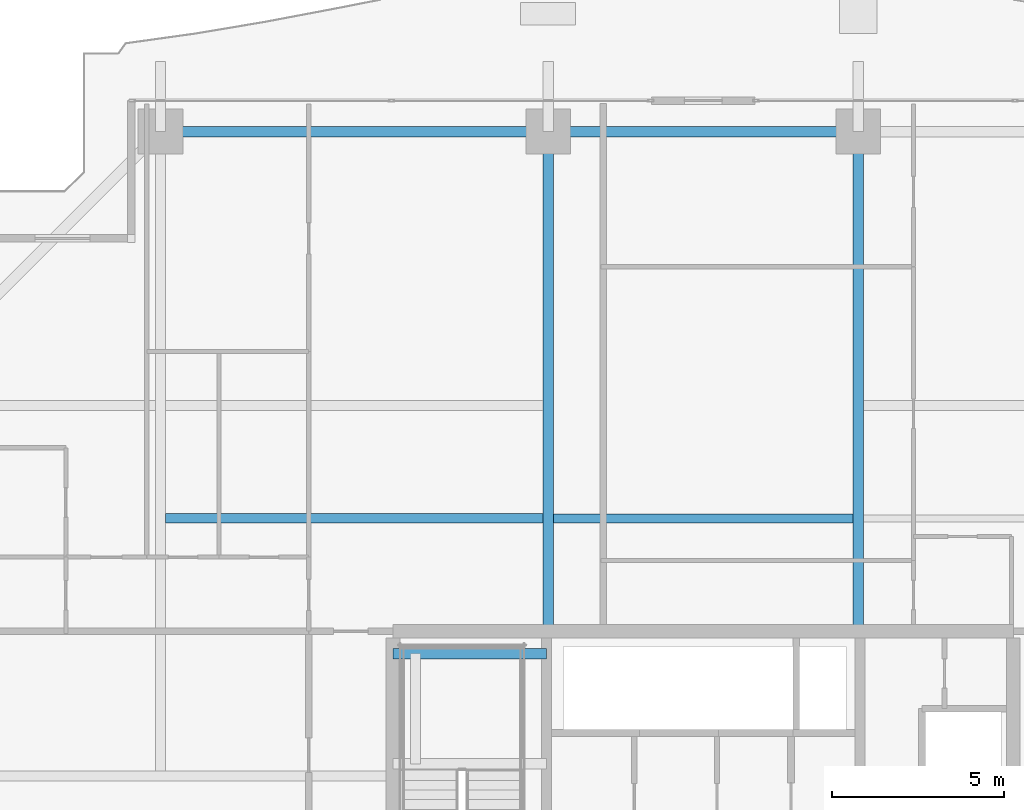
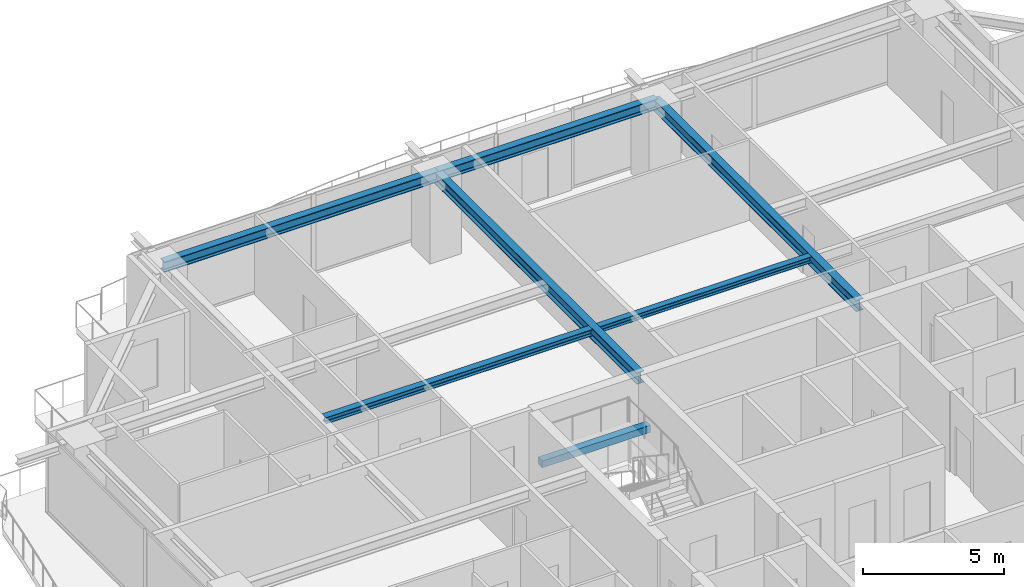
# One storey, part 20 of 37: 7 beams.
"""IFC4 building model written with IfcOpenShell, lengths in metres."""

from ifc_helpers import new_model, si_unit, direction, frame, origin, origin_2d, place, context, subcontext, project, spatial, rectangle, i_section, extrude, source, transform, mapped, material, material_profile, profile_set, type_object, element, save


model = new_model("IFC4")

# Units and contexts
model_context = context("Model", 3, precision=1e-05, world=origin(), true_north=direction((0.0, 1.0)))
body_context = subcontext(model_context, "Body", "Model", "MODEL_VIEW")
ifc_project = project(units=[si_unit("LENGTHUNIT", "METRE"), si_unit("AREAUNIT", "SQUARE_METRE"), si_unit("VOLUMEUNIT", "CUBIC_METRE"), si_unit("PLANEANGLEUNIT", "RADIAN"), si_unit("MASSUNIT", "GRAM", prefix="KILO")], contexts=[model_context])

# Site, building, storey
site_placement = place(None, origin())
site = spatial("IfcSite", under=ifc_project, at=site_placement, CompositionType="ELEMENT")
building_placement = place(site_placement, origin())
building = spatial("IfcBuilding", under=site, at=building_placement, Name="Serunith Strait Residences", CompositionType="ELEMENT")
storey_placement = place(building_placement, frame((0.0, 0.0, 138.89990234375)))
storey = spatial("IfcBuildingStorey", under=building, at=storey_placement, Name="L34", CompositionType="ELEMENT", Elevation=138.89990234375)

# Beams
ifc_material_1 = material(Name="Steel S355J2", Category="steel")
ifc_material_profile_1 = material_profile(ifc_material_1, i_section(OverallWidth=0.260009765625, OverallDepth=0.260009765625, WebThickness=0.010009765625, FlangeThickness=0.017578125, FilletRadius=0.02392578125, at=origin_2d()), Name="HEB 260")
ifc_profile_set_1 = profile_set([ifc_material_profile_1], Name="Steel S355J2")
beam_type_1 = type_object("IfcBeamType", Name="BM-HEB260", PredefinedType="JOIST", material=ifc_profile_set_1)
shared_shape_1 = source(origin(), body_context, "Body", "SweptSolid", [
    extrude(i_section(OverallWidth=0.260009765625, OverallDepth=0.260009765625, WebThickness=0.010009765625, FlangeThickness=0.017578125, FilletRadius=0.02392578125, at=origin_2d()), origin(), (0.0, 0.0, 1.0), 8.699951171875),
])
beam_1_placement = place(storey_placement, frame((28.050048828125, 36.875, 3.357177734375), z_axis=(1.0, 0.0, 0.0), x_axis=(0.0, 1.0, 0.0)))
element("IfcBeam", 1, at=beam_1_placement, inside=storey, type_object=beam_type_1, Name="L34 Composite Floor Joist 05", PredefinedType="JOIST", context=body_context, shape_type="MappedRepresentation", body=[
    mapped(shared_shape_1, transform((0.0, 0.0, 0.0), scale=1.0)),
])
ifc_material_profile_2 = material_profile(ifc_material_1, i_section(OverallWidth=0.300048828125, OverallDepth=0.449951171875, WebThickness=0.013916015625, FlangeThickness=0.02587890625, FilletRadius=0.027099609375, at=origin_2d()), Name="HEB 450")
ifc_profile_set_2 = profile_set([ifc_material_profile_2], Name="Steel S355J2")
beam_type_2 = type_object("IfcBeamType", Name="BM-HEB450", PredefinedType="BEAM", material=ifc_profile_set_2)
shared_shape_2 = source(origin(), body_context, "Body", "SweptSolid", [
    extrude(i_section(OverallWidth=0.300048828125, OverallDepth=0.449951171875, WebThickness=0.013916015625, FlangeThickness=0.02587890625, FilletRadius=0.027099609375, at=origin_2d()), origin(), (0.0, 0.0, 1.0), 9.0),
])
beam_2_placement = place(storey_placement, frame((36.89990234375, 48.10009765625, 3.26220703125), z_axis=(-1.0, 0.0, 0.0), x_axis=(0.0, -1.0, 0.0)))
element("IfcBeam", 2, at=beam_2_placement, inside=storey, type_object=beam_type_2, Name="L34 Perimeter Ring Beam 10", PredefinedType="BEAM", context=body_context, shape_type="MappedRepresentation", body=[
    mapped(shared_shape_2, transform((0.0, 0.0, 0.0), scale=1.0)),
])
ifc_material_profile_3 = material_profile(ifc_material_1, i_section(OverallWidth=0.300048828125, OverallDepth=0.5, WebThickness=0.014404296875, FlangeThickness=0.028076171875, FilletRadius=0.027099609375, at=origin_2d()), Name="HEB 500")
ifc_profile_set_3 = profile_set([ifc_material_profile_3], Name="Steel S355J2")
beam_type_3 = type_object("IfcBeamType", Name="BM-HEB500", PredefinedType="BEAM", material=ifc_profile_set_3)
shared_shape_3 = source(origin(), body_context, "Body", "SweptSolid", [
    extrude(i_section(OverallWidth=0.300048828125, OverallDepth=0.5, WebThickness=0.014404296875, FlangeThickness=0.028076171875, FilletRadius=0.027099609375, at=origin_2d()), origin(), (0.0, 0.0, 1.0), 14.5),
])
for number, where, z_axis, x_axis, name in (
    (3, (27.89990234375, 33.60009765625, 3.237060546875), (0.0, 1.0, 0.0), (-1.0, 0.0, 0.0), "L34 Primary Floor Girder TC-N2"),
    (4, (36.89990234375, 33.60009765625, 3.237060546875), (0.0, 1.0, 0.0), (-1.0, 0.0, 0.0), "L34 Primary Floor Girder TC-N3"),
):
    element("IfcBeam", number, at=place(storey_placement, frame(where, z_axis=z_axis, x_axis=x_axis)), inside=storey, type_object=beam_type_3, Name=name, PredefinedType="BEAM", context=body_context, shape_type="MappedRepresentation", body=[
        mapped(shared_shape_3, transform((0.0, 0.0, 0.0), scale=1.0)),
    ])
shared_shape_4 = source(origin(), body_context, "Body", "SweptSolid", [
    extrude(i_section(OverallWidth=0.300048828125, OverallDepth=0.449951171875, WebThickness=0.013916015625, FlangeThickness=0.02587890625, FilletRadius=0.027099609375, at=origin_2d()), origin(), (0.0, 0.0, 1.0), 11.25),
])
beam_3_placement = place(storey_placement, frame((27.89990234375, 48.10009765625, 3.26220703125), z_axis=(-1.0, 0.0, 0.0), x_axis=(0.0, -1.0, 0.0)))
element("IfcBeam", 5, at=beam_3_placement, inside=storey, type_object=beam_type_2, Name="L34 Perimeter Ring Beam 11", PredefinedType="BEAM", context=body_context, shape_type="MappedRepresentation", body=[
    mapped(shared_shape_4, transform((0.0, 0.0, 0.0), scale=1.0)),
])
ifc_material_profile_4 = material_profile(ifc_material_1, i_section(OverallWidth=0.280029296875, OverallDepth=0.280029296875, WebThickness=0.010498046875, FlangeThickness=0.01806640625, FilletRadius=0.02392578125, at=origin_2d()), Name="HEB 280")
ifc_profile_set_4 = profile_set([ifc_material_profile_4], Name="Steel S355J2")
beam_type_4 = type_object("IfcBeamType", Name="BM-HEB280", PredefinedType="JOIST", material=ifc_profile_set_4)
shared_shape_5 = source(origin(), body_context, "Body", "SweptSolid", [
    extrude(i_section(OverallWidth=0.280029296875, OverallDepth=0.280029296875, WebThickness=0.010498046875, FlangeThickness=0.01806640625, FilletRadius=0.02392578125, at=origin_2d()), origin(), (0.0, 0.0, 1.0), 10.949951171875),
])
beam_4_placement = place(storey_placement, frame((16.800048828125, 36.875, 3.34716796875), z_axis=(1.0, 0.0, 0.0), x_axis=(0.0, 1.0, 0.0)))
element("IfcBeam", 6, at=beam_4_placement, inside=storey, type_object=beam_type_4, Name="L34 Composite Floor Joist 04", PredefinedType="JOIST", context=body_context, shape_type="MappedRepresentation", body=[
    mapped(shared_shape_5, transform((0.0, 0.0, 0.0), scale=1.0)),
])
ifc_material_2 = material(Name="Concrete C60/75", Category="concrete")
ifc_material_profile_5 = material_profile(ifc_material_2, rectangle(XDim=0.300048828125, YDim=0.300048828125, at=origin_2d()), Name="RC 300x300")
ifc_profile_set_5 = profile_set([ifc_material_profile_5], Name="Concrete C60/75")
beam_type_5 = type_object("IfcBeamType", Name="BM-LAND-300x300", PredefinedType="BEAM", material=ifc_profile_set_5)
shared_shape_6 = source(origin(), body_context, "Body", "SweptSolid", [
    extrude(rectangle(XDim=0.300048828125, YDim=0.300048828125, at=origin_2d()), origin(), (0.0, 0.0, 1.0), 4.4501953125),
])
beam_5_placement = place(storey_placement, frame((23.39990234375, 32.949951171875, 1.525146484375), z_axis=(1.0, 0.0, 0.0), x_axis=(0.0, 1.0, 0.0)))
element("IfcBeam", 7, at=beam_5_placement, inside=storey, type_object=beam_type_5, Name="L34 ST-1 Landing Support Beam 2", PredefinedType="BEAM", context=body_context, shape_type="MappedRepresentation", body=[
    mapped(shared_shape_6, transform((0.0, 0.0, 0.0), scale=1.0)),
])

save(model, "model.ifc")
